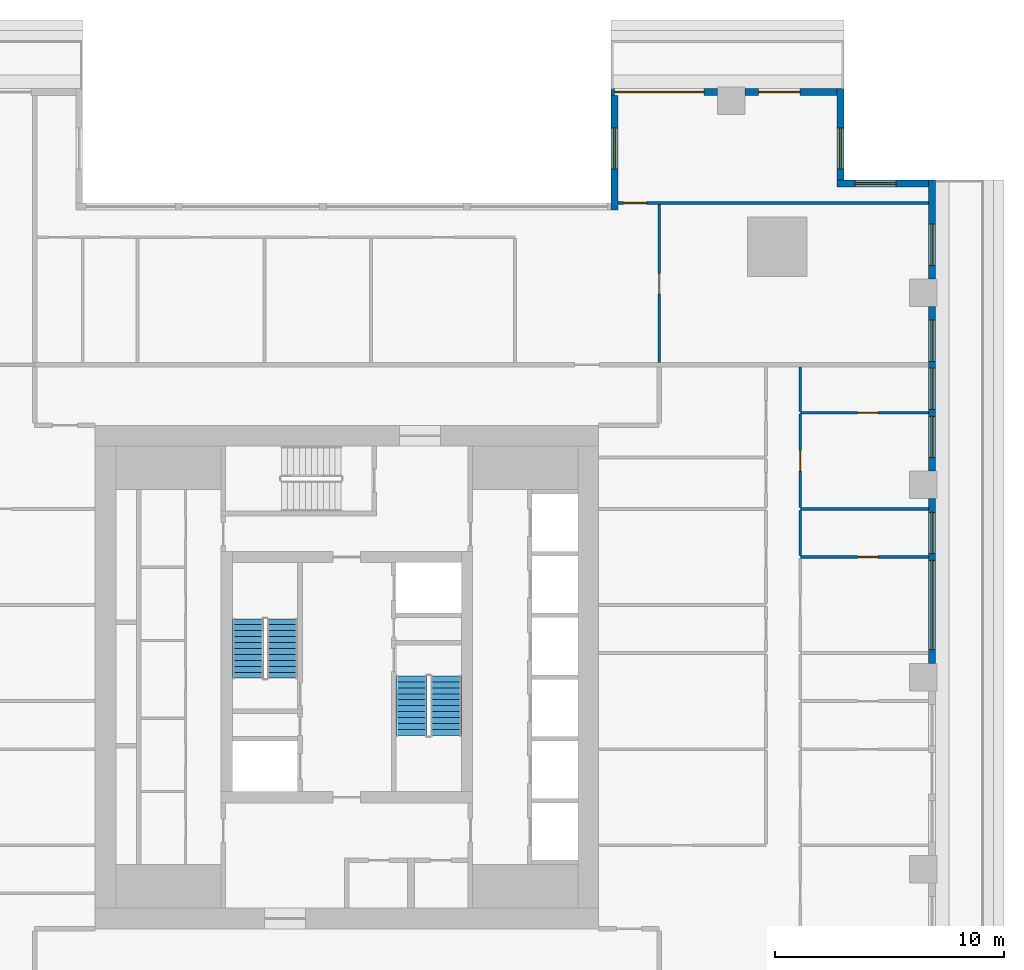
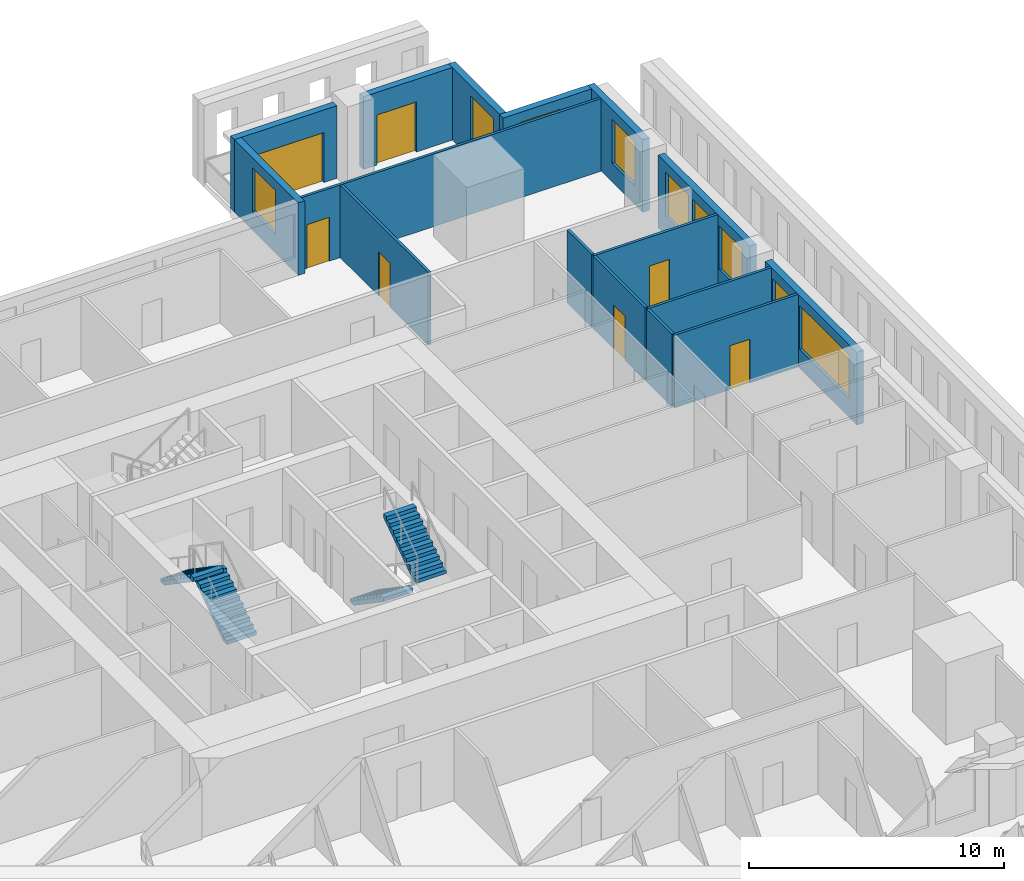
# One storey, part 9 of 16: 16 walls, 9 windows, 7 doors, 4 stair flights, 16 openings, 2 elements without a shape of their own.
"""IFC4 building model written with IfcOpenShell, lengths in metres."""

from ifc_helpers import new_model, si_unit, direction, frame, frame_2d, origin, place, context, subcontext, project, spatial, polyline, rectangle, outline, extrude, material, layer, layer_set, type_object, element, fill, aggregate, save


model = new_model("IFC4")

# Units and contexts
model_context = context("Model", 3, precision=1e-05, world=origin(), true_north=direction((0.0, 1.0)))
body_context = subcontext(model_context, "Body", "Model", "MODEL_VIEW")
ifc_project = project(units=[si_unit("LENGTHUNIT", "METRE"), si_unit("AREAUNIT", "SQUARE_METRE"), si_unit("VOLUMEUNIT", "CUBIC_METRE"), si_unit("PLANEANGLEUNIT", "RADIAN"), si_unit("MASSUNIT", "GRAM", prefix="KILO")], contexts=[model_context])

# Site, building, storey
site_placement = place(None, origin())
site = spatial("IfcSite", under=ifc_project, at=site_placement, CompositionType="ELEMENT")
building_placement = place(site_placement, origin())
building = spatial("IfcBuilding", under=site, at=building_placement, Name="Khepri Terraces", CompositionType="ELEMENT")
storey_placement = place(building_placement, frame((0.0, 0.0, 168.89990234375)))
storey = spatial("IfcBuildingStorey", under=building, at=storey_placement, Name="L40", CompositionType="ELEMENT", Elevation=168.89990234375)

# Wall, openings, windows
ifc_material_1 = material(Name="Precast concrete C50/60 warm stone", Category="masonry")
ifc_layer_1 = layer(ifc_material_1, 0.300048828125, Name="Precast concrete C50/60 warm stone", Category="masonry")
ifc_layer_set_1 = layer_set([ifc_layer_1], Name="Precast concrete C50/60 warm stone")
wall_type_1 = type_object("IfcWallType", Name="WL-EXT-PRECAST-300", PredefinedType="STANDARD", material=ifc_layer_set_1)
wall_1_placement = place(storey_placement, frame((25.570068359375, 0.60009765625, 0.0), z_axis=(0.0, 0.0, 1.0), x_axis=(0.0, 1.0, 0.0)))
wall_1 = element("IfcWall", 1, at=wall_1_placement, inside=storey, type_object=wall_type_1, Name="External wall L40 E", PredefinedType="STANDARD", context=body_context, shape_type="SweptSolid", body=[
    extrude(rectangle(XDim=7.199951171875, YDim=0.300048828125, at=frame_2d((3.60009765625, 0.0))), origin(), (0.0, 0.0, 1.0), 3.47998046875),
])
opening_1_placement = place(wall_1_placement, frame((0.60009765625, 0.0, 0.89990234375)))
opening_1 = element("IfcOpeningElement", 2, at=opening_1_placement, cuts=wall_1, Name="Opening W2", PredefinedType="OPENING", context=body_context, shape_type="SweptSolid", body=[
    extrude(rectangle(XDim=3.89990234375, YDim=2.10009765625, at=frame_2d((1.949951171875, 1.050048828125))), frame((0.0, 0.16015625, 0.0), z_axis=(0.0, -1.0, 0.0), x_axis=(1.0, 0.0, 0.0)), (0.0, 0.0, 1.0), 0.320068359375),
])
opening_2_placement = place(wall_1_placement, frame((4.800048828125, 0.0, 0.89990234375)))
opening_2 = element("IfcOpeningElement", 3, at=opening_2_placement, cuts=wall_1, Name="Opening W1", PredefinedType="OPENING", context=body_context, shape_type="SweptSolid", body=[
    extrude(rectangle(XDim=1.800048828125, YDim=2.10009765625, at=frame_2d((0.89990234375, 1.050048828125))), frame((0.0, 0.16015625, 0.0), z_axis=(0.0, -1.0, 0.0), x_axis=(1.0, 0.0, 0.0)), (0.0, 0.0, 1.0), 0.320068359375),
])
ifc_material_2 = material(Name="Clear glass", Category="glass")
window_type_1 = type_object("IfcWindowType", Name="WIN-RES-1800x2100", PartitioningType="SINGLE_PANEL", PredefinedType="WINDOW", material=ifc_material_2)
window_1_placement = place(opening_2_placement, origin())
window_1 = element("IfcWindow", 4, at=window_1_placement, inside=storey, type_object=window_type_1, Name="Window L40 E", OverallHeight=2.10009765625, OverallWidth=1.800048828125, PartitioningType="SINGLE_PANEL", PredefinedType="WINDOW", context=body_context, shape_type="SweptSolid", body=[
    extrude(rectangle(XDim=1.800048828125, YDim=2.10009765625, at=frame_2d((0.89990234375, 1.050048828125))), frame((0.0, 0.030029296875, 0.0), z_axis=(0.0, -1.0, 0.0), x_axis=(1.0, 0.0, 0.0)), (0.0, 0.0, 1.0), 0.06005859375),
])
fill(opening_2, window_1)
window_type_2 = type_object("IfcWindowType", Name="WIN-RES-3900x2100", PartitioningType="SINGLE_PANEL", PredefinedType="WINDOW", material=ifc_material_2)
window_2_placement = place(opening_1_placement, origin())
window_2 = element("IfcWindow", 5, at=window_2_placement, inside=storey, type_object=window_type_2, Name="Window L40 E", OverallHeight=2.10009765625, OverallWidth=3.89990234375, PartitioningType="SINGLE_PANEL", PredefinedType="WINDOW", context=body_context, shape_type="SweptSolid", body=[
    extrude(rectangle(XDim=3.89990234375, YDim=2.10009765625, at=frame_2d((1.949951171875, 1.050048828125))), frame((0.0, 0.030029296875, 0.0), z_axis=(0.0, -1.0, 0.0), x_axis=(1.0, 0.0, 0.0)), (0.0, 0.0, 1.0), 0.06005859375),
])
fill(opening_1, window_2)

wall_2_placement = place(storey_placement, frame((25.570068359375, 9.0, 0.0), z_axis=(0.0, 0.0, 1.0), x_axis=(0.0, 1.0, 0.0)))
wall_2 = element("IfcWall", 6, at=wall_2_placement, inside=storey, type_object=wall_type_1, Name="External wall L40 E", PredefinedType="STANDARD", context=body_context, shape_type="SweptSolid", body=[
    extrude(rectangle(XDim=7.199951171875, YDim=0.300048828125, at=frame_2d((3.60009765625, 0.0))), origin(), (0.0, 0.0, 1.0), 3.47998046875),
])
opening_3_placement = place(wall_2_placement, frame((0.60009765625, 0.0, 0.89990234375)))
opening_3 = element("IfcOpeningElement", 7, at=opening_3_placement, cuts=wall_2, Name="Opening W1", PredefinedType="OPENING", context=body_context, shape_type="SweptSolid", body=[
    extrude(rectangle(XDim=1.800048828125, YDim=2.10009765625, at=frame_2d((0.89990234375, 1.050048828125))), frame((0.0, 0.16015625, 0.0), z_axis=(0.0, -1.0, 0.0), x_axis=(1.0, 0.0, 0.0)), (0.0, 0.0, 1.0), 0.320068359375),
])
opening_4_placement = place(wall_2_placement, frame((2.699951171875, 0.0, 0.89990234375)))
opening_4 = element("IfcOpeningElement", 8, at=opening_4_placement, cuts=wall_2, Name="Opening W1", PredefinedType="OPENING", context=body_context, shape_type="SweptSolid", body=[
    extrude(rectangle(XDim=1.800048828125, YDim=2.10009765625, at=frame_2d((0.89990234375, 1.050048828125))), frame((0.0, 0.16015625, 0.0), z_axis=(0.0, -1.0, 0.0), x_axis=(1.0, 0.0, 0.0)), (0.0, 0.0, 1.0), 0.320068359375),
])
opening_5_placement = place(wall_2_placement, frame((4.800048828125, 0.0, 0.89990234375)))
opening_5 = element("IfcOpeningElement", 9, at=opening_5_placement, cuts=wall_2, Name="Opening W1", PredefinedType="OPENING", context=body_context, shape_type="SweptSolid", body=[
    extrude(rectangle(XDim=1.800048828125, YDim=2.10009765625, at=frame_2d((0.89990234375, 1.050048828125))), frame((0.0, 0.16015625, 0.0), z_axis=(0.0, -1.0, 0.0), x_axis=(1.0, 0.0, 0.0)), (0.0, 0.0, 1.0), 0.320068359375),
])
window_3_placement = place(opening_3_placement, origin())
window_3 = element("IfcWindow", 10, at=window_3_placement, inside=storey, type_object=window_type_1, Name="Window L40 E", OverallHeight=2.10009765625, OverallWidth=1.800048828125, PartitioningType="SINGLE_PANEL", PredefinedType="WINDOW", context=body_context, shape_type="SweptSolid", body=[
    extrude(rectangle(XDim=1.800048828125, YDim=2.10009765625, at=frame_2d((0.89990234375, 1.050048828125))), frame((0.0, 0.030029296875, 0.0), z_axis=(0.0, -1.0, 0.0), x_axis=(1.0, 0.0, 0.0)), (0.0, 0.0, 1.0), 0.06005859375),
])
fill(opening_3, window_3)
window_4_placement = place(opening_4_placement, origin())
window_4 = element("IfcWindow", 11, at=window_4_placement, inside=storey, type_object=window_type_1, Name="Window L40 E", OverallHeight=2.10009765625, OverallWidth=1.800048828125, PartitioningType="SINGLE_PANEL", PredefinedType="WINDOW", context=body_context, shape_type="SweptSolid", body=[
    extrude(rectangle(XDim=1.800048828125, YDim=2.10009765625, at=frame_2d((0.89990234375, 1.050048828125))), frame((0.0, 0.030029296875, 0.0), z_axis=(0.0, -1.0, 0.0), x_axis=(1.0, 0.0, 0.0)), (0.0, 0.0, 1.0), 0.06005859375),
])
fill(opening_4, window_4)
window_5_placement = place(opening_5_placement, origin())
window_5 = element("IfcWindow", 12, at=window_5_placement, inside=storey, type_object=window_type_1, Name="Window L40 E", OverallHeight=2.10009765625, OverallWidth=1.800048828125, PartitioningType="SINGLE_PANEL", PredefinedType="WINDOW", context=body_context, shape_type="SweptSolid", body=[
    extrude(rectangle(XDim=1.800048828125, YDim=2.10009765625, at=frame_2d((0.89990234375, 1.050048828125))), frame((0.0, 0.030029296875, 0.0), z_axis=(0.0, -1.0, 0.0), x_axis=(1.0, 0.0, 0.0)), (0.0, 0.0, 1.0), 0.06005859375),
])
fill(opening_5, window_5)

# Wall, opening, window
wall_3_placement = place(storey_placement, frame((25.570068359375, 17.39990234375, 0.0), z_axis=(0.0, 0.0, 1.0), x_axis=(0.0, 1.0, 0.0)))
wall_3 = element("IfcWall", 13, at=wall_3_placement, inside=storey, type_object=wall_type_1, Name="External wall L40 E", PredefinedType="STANDARD", context=body_context, shape_type="SweptSolid", body=[
    extrude(rectangle(XDim=4.320068359375, YDim=0.300048828125, at=frame_2d((2.16015625, 0.0))), origin(), (0.0, 0.0, 1.0), 3.47998046875),
])
opening_6_placement = place(wall_3_placement, frame((0.60009765625, 0.0, 0.89990234375)))
opening_6 = element("IfcOpeningElement", 14, at=opening_6_placement, cuts=wall_3, Name="Opening W1", PredefinedType="OPENING", context=body_context, shape_type="SweptSolid", body=[
    extrude(rectangle(XDim=1.800048828125, YDim=2.10009765625, at=frame_2d((0.89990234375, 1.050048828125))), frame((0.0, 0.16015625, 0.0), z_axis=(0.0, -1.0, 0.0), x_axis=(1.0, 0.0, 0.0)), (0.0, 0.0, 1.0), 0.320068359375),
])
window_6_placement = place(opening_6_placement, origin())
window_6 = element("IfcWindow", 15, at=window_6_placement, inside=storey, type_object=window_type_1, Name="Window L40 E", OverallHeight=2.10009765625, OverallWidth=1.800048828125, PartitioningType="SINGLE_PANEL", PredefinedType="WINDOW", context=body_context, shape_type="SweptSolid", body=[
    extrude(rectangle(XDim=1.800048828125, YDim=2.10009765625, at=frame_2d((0.89990234375, 1.050048828125))), frame((0.0, 0.030029296875, 0.0), z_axis=(0.0, -1.0, 0.0), x_axis=(1.0, 0.0, 0.0)), (0.0, 0.0, 1.0), 0.06005859375),
])
fill(opening_6, window_6)

wall_4_placement = place(storey_placement, frame((25.419921875, 21.570068359375, 0.0), z_axis=(0.0, 0.0, 1.0), x_axis=(-1.0, 0.0, 0.0)))
wall_4 = element("IfcWall", 16, at=wall_4_placement, inside=storey, type_object=wall_type_1, Name="External wall L40 N", PredefinedType="STANDARD", context=body_context, shape_type="SweptSolid", body=[
    extrude(rectangle(XDim=4.0, YDim=0.300048828125, at=frame_2d((2.0, 0.0))), origin(), (0.0, 0.0, 1.0), 3.47998046875),
])
opening_7_placement = place(wall_4_placement, frame((1.419921875, 0.0, 0.89990234375)))
opening_7 = element("IfcOpeningElement", 17, at=opening_7_placement, cuts=wall_4, Name="Opening W1", PredefinedType="OPENING", context=body_context, shape_type="SweptSolid", body=[
    extrude(rectangle(XDim=1.800048828125, YDim=2.10009765625, at=frame_2d((0.89990234375, 1.050048828125))), frame((0.0, 0.16015625, 0.0), z_axis=(0.0, -1.0, 0.0), x_axis=(1.0, 0.0, 0.0)), (0.0, 0.0, 1.0), 0.320068359375),
])
window_7_placement = place(opening_7_placement, origin())
window_7 = element("IfcWindow", 18, at=window_7_placement, inside=storey, type_object=window_type_1, Name="Window L40 N", OverallHeight=2.10009765625, OverallWidth=1.800048828125, PartitioningType="SINGLE_PANEL", PredefinedType="WINDOW", context=body_context, shape_type="SweptSolid", body=[
    extrude(rectangle(XDim=1.800048828125, YDim=2.10009765625, at=frame_2d((0.89990234375, 1.050048828125))), frame((0.0, 0.030029296875, 0.0), z_axis=(0.0, -1.0, 0.0), x_axis=(1.0, 0.0, 0.0)), (0.0, 0.0, 1.0), 0.06005859375),
])
fill(opening_7, window_7)

wall_5_placement = place(storey_placement, frame((21.570068359375, 21.719970703125, 0.0), z_axis=(0.0, 0.0, 1.0), x_axis=(0.0, 1.0, 0.0)))
wall_5 = element("IfcWall", 19, at=wall_5_placement, inside=storey, type_object=wall_type_1, Name="External wall L40 E", PredefinedType="STANDARD", context=body_context, shape_type="SweptSolid", body=[
    extrude(rectangle(XDim=4.0, YDim=0.300048828125, at=frame_2d((2.0, 0.0))), origin(), (0.0, 0.0, 1.0), 3.47998046875),
])
opening_8_placement = place(wall_5_placement, frame((0.47998046875, 0.0, 0.89990234375)))
opening_8 = element("IfcOpeningElement", 20, at=opening_8_placement, cuts=wall_5, Name="Opening W1", PredefinedType="OPENING", context=body_context, shape_type="SweptSolid", body=[
    extrude(rectangle(XDim=1.800048828125, YDim=2.10009765625, at=frame_2d((0.89990234375, 1.050048828125))), frame((0.0, 0.16015625, 0.0), z_axis=(0.0, -1.0, 0.0), x_axis=(1.0, 0.0, 0.0)), (0.0, 0.0, 1.0), 0.320068359375),
])
window_8_placement = place(opening_8_placement, origin())
window_8 = element("IfcWindow", 21, at=window_8_placement, inside=storey, type_object=window_type_1, Name="Window L40 E", OverallHeight=2.10009765625, OverallWidth=1.800048828125, PartitioningType="SINGLE_PANEL", PredefinedType="WINDOW", context=body_context, shape_type="SweptSolid", body=[
    extrude(rectangle(XDim=1.800048828125, YDim=2.10009765625, at=frame_2d((0.89990234375, 1.050048828125))), frame((0.0, 0.030029296875, 0.0), z_axis=(0.0, -1.0, 0.0), x_axis=(1.0, 0.0, 0.0)), (0.0, 0.0, 1.0), 0.06005859375),
])
fill(opening_8, window_8)

# Wall, opening, door
wall_6_placement = place(storey_placement, frame((21.419921875, 25.570068359375, 0.0), z_axis=(0.0, 0.0, 1.0), x_axis=(-1.0, 0.0, 0.0)))
wall_6 = element("IfcWall", 22, at=wall_6_placement, inside=storey, type_object=wall_type_1, Name="External wall L40 N", PredefinedType="STANDARD", context=body_context, shape_type="SweptSolid", body=[
    extrude(rectangle(XDim=4.02001953125, YDim=0.300048828125, at=frame_2d((2.010009765625, 0.0))), origin(), (0.0, 0.0, 1.0), 3.47998046875),
])
opening_9_placement = place(wall_6_placement, frame((1.6201171875, 0.0, 0.0)))
opening_9 = element("IfcOpeningElement", 23, at=opening_9_placement, cuts=wall_6, Name="Opening ED-L40-04", PredefinedType="OPENING", context=body_context, shape_type="SweptSolid", body=[
    extrude(rectangle(XDim=1.800048828125, YDim=2.39990234375, at=frame_2d((0.89990234375, 1.199951171875))), frame((0.0, 0.16015625, 0.0), z_axis=(0.0, -1.0, 0.0), x_axis=(1.0, 0.0, 0.0)), (0.0, 0.0, 1.0), 0.320068359375),
])
ifc_material_3 = material(Name="Anodised aluminium bronze glazed door", Category="aluminium")
door_type_1 = type_object("IfcDoorType", Name="DR-BAL-SLIDE-1800x2400", OperationType="NOTDEFINED", PredefinedType="DOOR", material=ifc_material_3)
door_1_placement = place(opening_9_placement, origin())
door_1 = element("IfcDoor", 24, at=door_1_placement, inside=storey, type_object=door_type_1, Name="Balcony door L40 N", OperationType="SLIDING_TO_RIGHT", OverallHeight=2.39990234375, OverallWidth=1.800048828125, PredefinedType="DOOR", context=body_context, shape_type="SweptSolid", body=[
    extrude(rectangle(XDim=1.800048828125, YDim=2.39990234375, at=frame_2d((0.89990234375, 1.199951171875))), frame((0.0, 0.02490234375, 0.0), z_axis=(0.0, -1.0, 0.0), x_axis=(1.0, 0.0, 0.0)), (0.0, 0.0, 1.0), 0.050048828125),
])
fill(opening_9, door_1)

wall_7_placement = place(storey_placement, frame((16.199951171875, 25.570068359375, 0.0), z_axis=(0.0, 0.0, 1.0), x_axis=(-1.0, 0.0, 0.0)))
wall_7 = element("IfcWall", 25, at=wall_7_placement, inside=storey, type_object=wall_type_1, Name="External wall L40 N", PredefinedType="STANDARD", context=body_context, shape_type="SweptSolid", body=[
    extrude(rectangle(XDim=4.64990234375, YDim=0.300048828125, at=frame_2d((2.324951171875, 0.0))), origin(), (0.0, 0.0, 1.0), 3.47998046875),
])
opening_10_placement = place(wall_7_placement, frame((0.60009765625, 0.0, 0.0)))
opening_10 = element("IfcOpeningElement", 26, at=opening_10_placement, cuts=wall_7, Name="Opening ED-L40-05", PredefinedType="OPENING", context=body_context, shape_type="SweptSolid", body=[
    extrude(rectangle(XDim=3.89990234375, YDim=2.39990234375, at=frame_2d((1.949951171875, 1.199951171875))), frame((0.0, 0.16015625, 0.0), z_axis=(0.0, -1.0, 0.0), x_axis=(1.0, 0.0, 0.0)), (0.0, 0.0, 1.0), 0.320068359375),
])
door_type_2 = type_object("IfcDoorType", Name="DR-BAL-SLIDE-3900x2400", OperationType="NOTDEFINED", PredefinedType="DOOR", material=ifc_material_3)
door_2_placement = place(opening_10_placement, origin())
door_2 = element("IfcDoor", 27, at=door_2_placement, inside=storey, type_object=door_type_2, Name="Balcony door L40 N", OperationType="SLIDING_TO_LEFT", OverallHeight=2.39990234375, OverallWidth=3.89990234375, PredefinedType="DOOR", context=body_context, shape_type="SweptSolid", body=[
    extrude(rectangle(XDim=3.89990234375, YDim=2.39990234375, at=frame_2d((1.949951171875, 1.199951171875))), frame((0.0, 0.02490234375, 0.0), z_axis=(0.0, -1.0, 0.0), x_axis=(1.0, 0.0, 0.0)), (0.0, 0.0, 1.0), 0.050048828125),
])
fill(opening_10, door_2)

# Wall, opening, window
wall_8_placement = place(storey_placement, frame((11.699951171875, 25.419921875, 0.0), z_axis=(0.0, 0.0, 1.0), x_axis=(0.0, -1.0, 0.0)))
wall_8 = element("IfcWall", 28, at=wall_8_placement, inside=storey, type_object=wall_type_1, Name="External wall L40 W", PredefinedType="STANDARD", context=body_context, shape_type="SweptSolid", body=[
    extrude(rectangle(XDim=5.0, YDim=0.300048828125, at=frame_2d((2.5, 0.0))), origin(), (0.0, 0.0, 1.0), 3.47998046875),
])
opening_11_placement = place(wall_8_placement, frame((1.419921875, 0.0, 0.89990234375)))
opening_11 = element("IfcOpeningElement", 29, at=opening_11_placement, cuts=wall_8, Name="Opening W1", PredefinedType="OPENING", context=body_context, shape_type="SweptSolid", body=[
    extrude(rectangle(XDim=1.800048828125, YDim=2.10009765625, at=frame_2d((0.89990234375, 1.050048828125))), frame((0.0, 0.16015625, 0.0), z_axis=(0.0, -1.0, 0.0), x_axis=(1.0, 0.0, 0.0)), (0.0, 0.0, 1.0), 0.320068359375),
])
window_9_placement = place(opening_11_placement, origin())
window_9 = element("IfcWindow", 30, at=window_9_placement, inside=storey, type_object=window_type_1, Name="Window L40 W", OverallHeight=2.10009765625, OverallWidth=1.800048828125, PartitioningType="SINGLE_PANEL", PredefinedType="WINDOW", context=body_context, shape_type="SweptSolid", body=[
    extrude(rectangle(XDim=1.800048828125, YDim=2.10009765625, at=frame_2d((0.89990234375, 1.050048828125))), frame((0.0, 0.030029296875, 0.0), z_axis=(0.0, -1.0, 0.0), x_axis=(1.0, 0.0, 0.0)), (0.0, 0.0, 1.0), 0.06005859375),
])
fill(opening_11, window_9)

# Wall, opening, door
ifc_material_4 = material(Name="Gypsum plasterboard partition")
ifc_layer_2 = layer(ifc_material_4, 0.1201171875, Name="Gypsum plasterboard partition")
ifc_layer_set_2 = layer_set([ifc_layer_2], Name="Gypsum plasterboard partition")
wall_type_2 = type_object("IfcWallType", Name="WL-PART-120", PredefinedType="PARTITIONING", material=ifc_layer_set_2)
wall_9_placement = place(storey_placement, frame((19.820068359375, 5.25, 0.0), z_axis=(0.0, 0.0, 1.0), x_axis=(1.0, 0.0, 0.0)))
wall_9 = element("IfcWall", 31, at=wall_9_placement, inside=storey, type_object=wall_type_2, Name="Partition P-073 L40", PredefinedType="PARTITIONING", context=body_context, shape_type="SweptSolid", body=[
    extrude(rectangle(XDim=5.599853515625, YDim=0.1201171875, at=frame_2d((2.7998046875, 0.0))), origin(), (0.0, 0.0, 1.0), 3.47998046875),
])
opening_12_placement = place(wall_9_placement, frame((2.5, 0.0, 0.0)))
opening_12 = element("IfcOpeningElement", 32, at=opening_12_placement, cuts=wall_9, Name="Opening D4", PredefinedType="OPENING", context=body_context, shape_type="SweptSolid", body=[
    extrude(rectangle(XDim=0.89990234375, YDim=2.10009765625, at=frame_2d((0.449951171875, 1.050048828125))), frame((0.0, 0.070068359375, 0.0), z_axis=(0.0, -1.0, 0.0), x_axis=(1.0, 0.0, 0.0)), (0.0, 0.0, 1.0), 0.14013671875),
])
ifc_material_5 = material(Name="Timber door leaf, moisture resistant", Category="wood")
door_type_3 = type_object("IfcDoorType", Name="DR-WET-900", OperationType="NOTDEFINED", PredefinedType="DOOR", material=ifc_material_5)
door_3_placement = place(opening_12_placement, origin())
door_3 = element("IfcDoor", 33, at=door_3_placement, inside=storey, type_object=door_type_3, Name="Door Bathroom", OperationType="SINGLE_SWING_RIGHT", OverallHeight=2.10009765625, OverallWidth=0.89990234375, PredefinedType="DOOR", context=body_context, shape_type="SweptSolid", body=[
    extrude(rectangle(XDim=0.89990234375, YDim=2.10009765625, at=frame_2d((0.449951171875, 1.050048828125))), frame((0.0, 0.02490234375, 0.0), z_axis=(0.0, -1.0, 0.0), x_axis=(1.0, 0.0, 0.0)), (0.0, 0.0, 1.0), 0.050048828125),
])
fill(opening_12, door_3)

# Walls
wall_10_placement = place(storey_placement, frame((19.820068359375, 5.31005859375, 0.0), z_axis=(0.0, 0.0, 1.0), x_axis=(0.0, 1.0, 0.0)))
element("IfcWall", 34, at=wall_10_placement, inside=storey, type_object=wall_type_2, Name="Partition P-074 L40", PredefinedType="PARTITIONING", context=body_context, shape_type="SweptSolid", body=[
    extrude(rectangle(XDim=1.97998046875, YDim=0.1201171875, at=frame_2d((0.989990234375, 0.0))), origin(), (0.0, 0.0, 1.0), 3.47998046875),
])
wall_11_placement = place(storey_placement, frame((19.820068359375, 7.35009765625, 0.0), z_axis=(0.0, 0.0, 1.0), x_axis=(1.0, 0.0, 0.0)))
element("IfcWall", 35, at=wall_11_placement, inside=storey, type_object=wall_type_2, Name="Partition P-078 L40", PredefinedType="PARTITIONING", context=body_context, shape_type="SweptSolid", body=[
    extrude(rectangle(XDim=5.599853515625, YDim=0.1201171875, at=frame_2d((2.7998046875, 0.0))), origin(), (0.0, 0.0, 1.0), 3.47998046875),
])

# Wall, opening, door
wall_12_placement = place(storey_placement, frame((19.820068359375, 7.409912109375, 0.0), z_axis=(0.0, 0.0, 1.0), x_axis=(0.0, 1.0, 0.0)))
wall_12 = element("IfcWall", 36, at=wall_12_placement, inside=storey, type_object=wall_type_2, Name="Partition P-081 L40", PredefinedType="PARTITIONING", context=body_context, shape_type="SweptSolid", body=[
    extrude(rectangle(XDim=4.080078125, YDim=0.1201171875, at=frame_2d((2.0400390625, 0.0))), origin(), (0.0, 0.0, 1.0), 3.47998046875),
])
opening_13_placement = place(wall_12_placement, frame((1.590087890625, 0.0, 0.0)))
opening_13 = element("IfcOpeningElement", 37, at=opening_13_placement, cuts=wall_12, Name="Opening D3", PredefinedType="OPENING", context=body_context, shape_type="SweptSolid", body=[
    extrude(rectangle(XDim=0.89990234375, YDim=2.10009765625, at=frame_2d((0.449951171875, 1.050048828125))), frame((0.0, 0.070068359375, 0.0), z_axis=(0.0, -1.0, 0.0), x_axis=(1.0, 0.0, 0.0)), (0.0, 0.0, 1.0), 0.14013671875),
])
ifc_material_6 = material(Name="Timber door leaf", Category="wood")
door_type_4 = type_object("IfcDoorType", Name="DR-INT-900", OperationType="NOTDEFINED", PredefinedType="DOOR", material=ifc_material_6)
door_4_placement = place(opening_13_placement, frame((0.89990234375, 0.0, 0.0), z_axis=(0.0, 0.0, 1.0), x_axis=(-1.0, 0.0, 0.0)))
door_4 = element("IfcDoor", 38, at=door_4_placement, inside=storey, type_object=door_type_4, Name="Door Bedroom", OperationType="SINGLE_SWING_RIGHT", OverallHeight=2.10009765625, OverallWidth=0.89990234375, PredefinedType="DOOR", context=body_context, shape_type="SweptSolid", body=[
    extrude(rectangle(XDim=0.89990234375, YDim=2.10009765625, at=frame_2d((0.449951171875, 1.050048828125))), frame((0.0, 0.02490234375, 0.0), z_axis=(0.0, -1.0, 0.0), x_axis=(1.0, 0.0, 0.0)), (0.0, 0.0, 1.0), 0.050048828125),
])
fill(opening_13, door_4)

wall_13_placement = place(storey_placement, frame((19.820068359375, 11.550048828125, 0.0), z_axis=(0.0, 0.0, 1.0), x_axis=(1.0, 0.0, 0.0)))
wall_13 = element("IfcWall", 39, at=wall_13_placement, inside=storey, type_object=wall_type_2, Name="Partition P-089 L40", PredefinedType="PARTITIONING", context=body_context, shape_type="SweptSolid", body=[
    extrude(rectangle(XDim=5.599853515625, YDim=0.1201171875, at=frame_2d((2.7998046875, 0.0))), origin(), (0.0, 0.0, 1.0), 3.47998046875),
])
opening_14_placement = place(wall_13_placement, frame((2.5, 0.0, 0.0)))
opening_14 = element("IfcOpeningElement", 40, at=opening_14_placement, cuts=wall_13, Name="Opening D4", PredefinedType="OPENING", context=body_context, shape_type="SweptSolid", body=[
    extrude(rectangle(XDim=0.89990234375, YDim=2.10009765625, at=frame_2d((0.449951171875, 1.050048828125))), frame((0.0, 0.070068359375, 0.0), z_axis=(0.0, -1.0, 0.0), x_axis=(1.0, 0.0, 0.0)), (0.0, 0.0, 1.0), 0.14013671875),
])
door_5_placement = place(opening_14_placement, origin())
door_5 = element("IfcDoor", 41, at=door_5_placement, inside=storey, type_object=door_type_3, Name="Door Bathroom", OperationType="SINGLE_SWING_RIGHT", OverallHeight=2.10009765625, OverallWidth=0.89990234375, PredefinedType="DOOR", context=body_context, shape_type="SweptSolid", body=[
    extrude(rectangle(XDim=0.89990234375, YDim=2.10009765625, at=frame_2d((0.449951171875, 1.050048828125))), frame((0.0, 0.02490234375, 0.0), z_axis=(0.0, -1.0, 0.0), x_axis=(1.0, 0.0, 0.0)), (0.0, 0.0, 1.0), 0.050048828125),
])
fill(opening_14, door_5)

# Wall
wall_14_placement = place(storey_placement, frame((19.820068359375, 11.610107421875, 0.0), z_axis=(0.0, 0.0, 1.0), x_axis=(0.0, 1.0, 0.0)))
element("IfcWall", 42, at=wall_14_placement, inside=storey, type_object=wall_type_2, Name="Partition P-091 L40", PredefinedType="PARTITIONING", context=body_context, shape_type="SweptSolid", body=[
    extrude(rectangle(XDim=1.93994140625, YDim=0.1201171875, at=frame_2d((0.969970703125, 0.0))), origin(), (0.0, 0.0, 1.0), 3.47998046875),
])

# Wall, opening, door
wall_15_placement = place(storey_placement, frame((13.64990234375, 13.75, 0.0), z_axis=(0.0, 0.0, 1.0), x_axis=(0.0, 1.0, 0.0)))
wall_15 = element("IfcWall", 43, at=wall_15_placement, inside=storey, type_object=wall_type_2, Name="Partition P-101 L40", PredefinedType="PARTITIONING", context=body_context, shape_type="SweptSolid", body=[
    extrude(rectangle(XDim=6.909912109375, YDim=0.1201171875, at=frame_2d((3.455078125, 0.0))), origin(), (0.0, 0.0, 1.0), 3.47998046875),
])
opening_15_placement = place(wall_15_placement, frame((2.985107421875, 0.0, 0.0)))
opening_15 = element("IfcOpeningElement", 44, at=opening_15_placement, cuts=wall_15, Name="Opening D3", PredefinedType="OPENING", context=body_context, shape_type="SweptSolid", body=[
    extrude(rectangle(XDim=0.89990234375, YDim=2.10009765625, at=frame_2d((0.449951171875, 1.050048828125))), frame((0.0, 0.070068359375, 0.0), z_axis=(0.0, -1.0, 0.0), x_axis=(1.0, 0.0, 0.0)), (0.0, 0.0, 1.0), 0.14013671875),
])
door_6_placement = place(opening_15_placement, frame((0.89990234375, 0.0, 0.0), z_axis=(0.0, 0.0, 1.0), x_axis=(-1.0, 0.0, 0.0)))
door_6 = element("IfcDoor", 45, at=door_6_placement, inside=storey, type_object=door_type_4, Name="Door Library", OperationType="SINGLE_SWING_RIGHT", OverallHeight=2.10009765625, OverallWidth=0.89990234375, PredefinedType="DOOR", context=body_context, shape_type="SweptSolid", body=[
    extrude(rectangle(XDim=0.89990234375, YDim=2.10009765625, at=frame_2d((0.449951171875, 1.050048828125))), frame((0.0, 0.02490234375, 0.0), z_axis=(0.0, -1.0, 0.0), x_axis=(1.0, 0.0, 0.0)), (0.0, 0.0, 1.0), 0.050048828125),
])
fill(opening_15, door_6)

wall_16_placement = place(storey_placement, frame((11.85009765625, 20.719970703125, 0.0), z_axis=(0.0, 0.0, 1.0), x_axis=(1.0, 0.0, 0.0)))
wall_16 = element("IfcWall", 46, at=wall_16_placement, inside=storey, type_object=wall_type_2, Name="Partition P-103 L40", PredefinedType="PARTITIONING", context=body_context, shape_type="SweptSolid", body=[
    extrude(rectangle(XDim=13.56982421875, YDim=0.1201171875, at=frame_2d((6.784912109375, 0.0))), origin(), (0.0, 0.0, 1.0), 3.47998046875),
])
opening_16_placement = place(wall_16_placement, frame((0.25, 0.0, 0.0)))
opening_16 = element("IfcOpeningElement", 47, at=opening_16_placement, cuts=wall_16, Name="Opening D2", PredefinedType="OPENING", context=body_context, shape_type="SweptSolid", body=[
    extrude(rectangle(XDim=1.0, YDim=2.10009765625, at=frame_2d((0.5, 1.050048828125))), frame((0.0, 0.070068359375, 0.0), z_axis=(0.0, -1.0, 0.0), x_axis=(1.0, 0.0, 0.0)), (0.0, 0.0, 1.0), 0.14013671875),
])
ifc_material_7 = material(Name="Timber door leaf, living room door", Category="wood")
door_type_5 = type_object("IfcDoorType", Name="DR-INT-1000", OperationType="NOTDEFINED", PredefinedType="DOOR", material=ifc_material_7)
door_7_placement = place(opening_16_placement, origin())
door_7 = element("IfcDoor", 48, at=door_7_placement, inside=storey, type_object=door_type_5, Name="Door Living Room", OperationType="SINGLE_SWING_LEFT", OverallHeight=2.10009765625, OverallWidth=1.0, PredefinedType="DOOR", context=body_context, shape_type="SweptSolid", body=[
    extrude(rectangle(XDim=1.0, YDim=2.10009765625, at=frame_2d((0.5, 1.050048828125))), frame((0.0, 0.02490234375, 0.0), z_axis=(0.0, -1.0, 0.0), x_axis=(1.0, 0.0, 0.0)), (0.0, 0.0, 1.0), 0.050048828125),
])
fill(opening_16, door_7)

# Stair, stair flights
ifc_material_8 = material(Name="Concrete C40/50", Category="concrete")
stair_type = type_object("IfcStairType", Name="STAIR-RC-22R", PredefinedType="HALF_TURN_STAIR", material=ifc_material_8)
stair_1_placement = place(storey_placement, origin())
stair_1 = element("IfcStair", 49, at=stair_1_placement, inside=storey, type_object=stair_type, Name="L40 Exit Stair ST-1", PredefinedType="HALF_TURN_STAIR")
stair_flight_type = type_object("IfcStairFlightType", Name="SFL-RC-177.3", PredefinedType="STRAIGHT", material=ifc_material_8)
stair_flight_1_placement = place(storey_placement, frame((-2.824951171875, -0.050048828125, 0.0), z_axis=(0.0, 0.0, 1.0), x_axis=(0.0, 1.0, 0.0)))
stair_flight_1 = element("IfcStairFlight", 50, at=stair_flight_1_placement, type_object=stair_flight_type, Name="ST-1 flight 1", NumberOfRisers=11, NumberOfTreads=10, PredefinedType="STRAIGHT", RiserHeight=0.177272727, TreadLength=0.26, context=body_context, shape_type="SweptSolid", body=[
    extrude(outline(polyline([(0.0, 0.0), (0.0, 0.17724609375), (0.260009765625, 0.17724609375), (0.260009765625, 0.3544921875), (0.52001953125, 0.3544921875), (0.52001953125, 0.53173828125), (0.780029296875, 0.53173828125), (0.780029296875, 0.708984375), (1.0400390625, 0.708984375), (1.0400390625, 0.886474609375), (1.300048828125, 0.886474609375), (1.300048828125, 1.063720703125), (1.56005859375, 1.063720703125), (1.56005859375, 1.240966796875), (1.820068359375, 1.240966796875), (1.820068359375, 1.418212890625), (2.080078125, 1.418212890625), (2.080078125, 1.595458984375), (2.340087890625, 1.595458984375), (2.340087890625, 1.772705078125), (2.60009765625, 1.772705078125), (2.60009765625, 1.949951171875), (2.60009765625, 1.59130859375), (0.26611328125, 0.0), (0.0, 0.0)])), frame((0.0, 0.675048828125, 0.0), z_axis=(0.0, -1.0, 0.0), x_axis=(1.0, 0.0, 0.0)), (0.0, 0.0, 1.0), 1.35009765625),
])
stair_flight_2_placement = place(storey_placement, frame((-4.324951171875, 2.550048828125, 1.9501953125), z_axis=(0.0, 0.0, 1.0), x_axis=(0.0, -1.0, 0.0)))
stair_flight_2 = element("IfcStairFlight", 51, at=stair_flight_2_placement, type_object=stair_flight_type, Name="ST-1 flight 2", NumberOfRisers=11, NumberOfTreads=10, PredefinedType="STRAIGHT", RiserHeight=0.177272727, TreadLength=0.26, context=body_context, shape_type="SweptSolid", body=[
    extrude(outline(polyline([(0.0, 0.0), (0.0, 0.17724609375), (0.260009765625, 0.17724609375), (0.260009765625, 0.3544921875), (0.52001953125, 0.3544921875), (0.52001953125, 0.53173828125), (0.780029296875, 0.53173828125), (0.780029296875, 0.708984375), (1.0400390625, 0.708984375), (1.0400390625, 0.886474609375), (1.300048828125, 0.886474609375), (1.300048828125, 1.063720703125), (1.56005859375, 1.063720703125), (1.56005859375, 1.240966796875), (1.820068359375, 1.240966796875), (1.820068359375, 1.418212890625), (2.080078125, 1.418212890625), (2.080078125, 1.595458984375), (2.340087890625, 1.595458984375), (2.340087890625, 1.772705078125), (2.60009765625, 1.772705078125), (2.60009765625, 1.949951171875), (2.60009765625, 1.59130859375), (0.26611328125, 0.0), (0.0, 0.0)])), frame((0.0, 0.675048828125, 0.0), z_axis=(0.0, -1.0, 0.0), x_axis=(1.0, 0.0, 0.0)), (0.0, 0.0, 1.0), 1.35009765625),
])
aggregate(stair_1, [stair_flight_1, stair_flight_2])

stair_2_placement = place(storey_placement, origin())
stair_2 = element("IfcStair", 52, at=stair_2_placement, inside=storey, type_object=stair_type, Name="L40 Exit Stair ST-2", PredefinedType="HALF_TURN_STAIR")
stair_flight_3_placement = place(storey_placement, frame((2.824951171875, 0.050048828125, 0.0), z_axis=(0.0, 0.0, 1.0), x_axis=(0.0, -1.0, 0.0)))
stair_flight_3 = element("IfcStairFlight", 53, at=stair_flight_3_placement, type_object=stair_flight_type, Name="ST-2 flight 1", NumberOfRisers=11, NumberOfTreads=10, PredefinedType="STRAIGHT", RiserHeight=0.177272727, TreadLength=0.26, context=body_context, shape_type="SweptSolid", body=[
    extrude(outline(polyline([(0.0, 0.0), (0.0, 0.17724609375), (0.260009765625, 0.17724609375), (0.260009765625, 0.3544921875), (0.52001953125, 0.3544921875), (0.52001953125, 0.53173828125), (0.780029296875, 0.53173828125), (0.780029296875, 0.708984375), (1.0400390625, 0.708984375), (1.0400390625, 0.886474609375), (1.300048828125, 0.886474609375), (1.300048828125, 1.063720703125), (1.56005859375, 1.063720703125), (1.56005859375, 1.240966796875), (1.820068359375, 1.240966796875), (1.820068359375, 1.418212890625), (2.080078125, 1.418212890625), (2.080078125, 1.595458984375), (2.340087890625, 1.595458984375), (2.340087890625, 1.772705078125), (2.60009765625, 1.772705078125), (2.60009765625, 1.949951171875), (2.60009765625, 1.59130859375), (0.26611328125, 0.0), (0.0, 0.0)])), frame((0.0, 0.675048828125, 0.0), z_axis=(0.0, -1.0, 0.0), x_axis=(1.0, 0.0, 0.0)), (0.0, 0.0, 1.0), 1.35009765625),
])
stair_flight_4_placement = place(storey_placement, frame((4.324951171875, -2.550048828125, 1.9501953125), z_axis=(0.0, 0.0, 1.0), x_axis=(0.0, 1.0, 0.0)))
stair_flight_4 = element("IfcStairFlight", 54, at=stair_flight_4_placement, type_object=stair_flight_type, Name="ST-2 flight 2", NumberOfRisers=11, NumberOfTreads=10, PredefinedType="STRAIGHT", RiserHeight=0.177272727, TreadLength=0.26, context=body_context, shape_type="SweptSolid", body=[
    extrude(outline(polyline([(0.0, 0.0), (0.0, 0.17724609375), (0.260009765625, 0.17724609375), (0.260009765625, 0.3544921875), (0.52001953125, 0.3544921875), (0.52001953125, 0.53173828125), (0.780029296875, 0.53173828125), (0.780029296875, 0.708984375), (1.0400390625, 0.708984375), (1.0400390625, 0.886474609375), (1.300048828125, 0.886474609375), (1.300048828125, 1.063720703125), (1.56005859375, 1.063720703125), (1.56005859375, 1.240966796875), (1.820068359375, 1.240966796875), (1.820068359375, 1.418212890625), (2.080078125, 1.418212890625), (2.080078125, 1.595458984375), (2.340087890625, 1.595458984375), (2.340087890625, 1.772705078125), (2.60009765625, 1.772705078125), (2.60009765625, 1.949951171875), (2.60009765625, 1.59130859375), (0.26611328125, 0.0), (0.0, 0.0)])), frame((0.0, 0.675048828125, 0.0), z_axis=(0.0, -1.0, 0.0), x_axis=(1.0, 0.0, 0.0)), (0.0, 0.0, 1.0), 1.35009765625),
])
aggregate(stair_2, [stair_flight_3, stair_flight_4])

save(model, "model.ifc")
